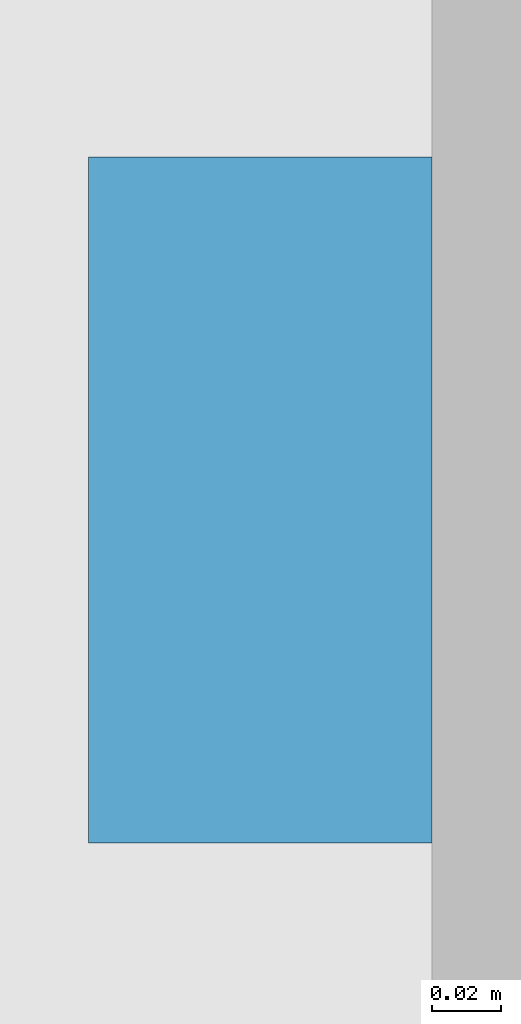
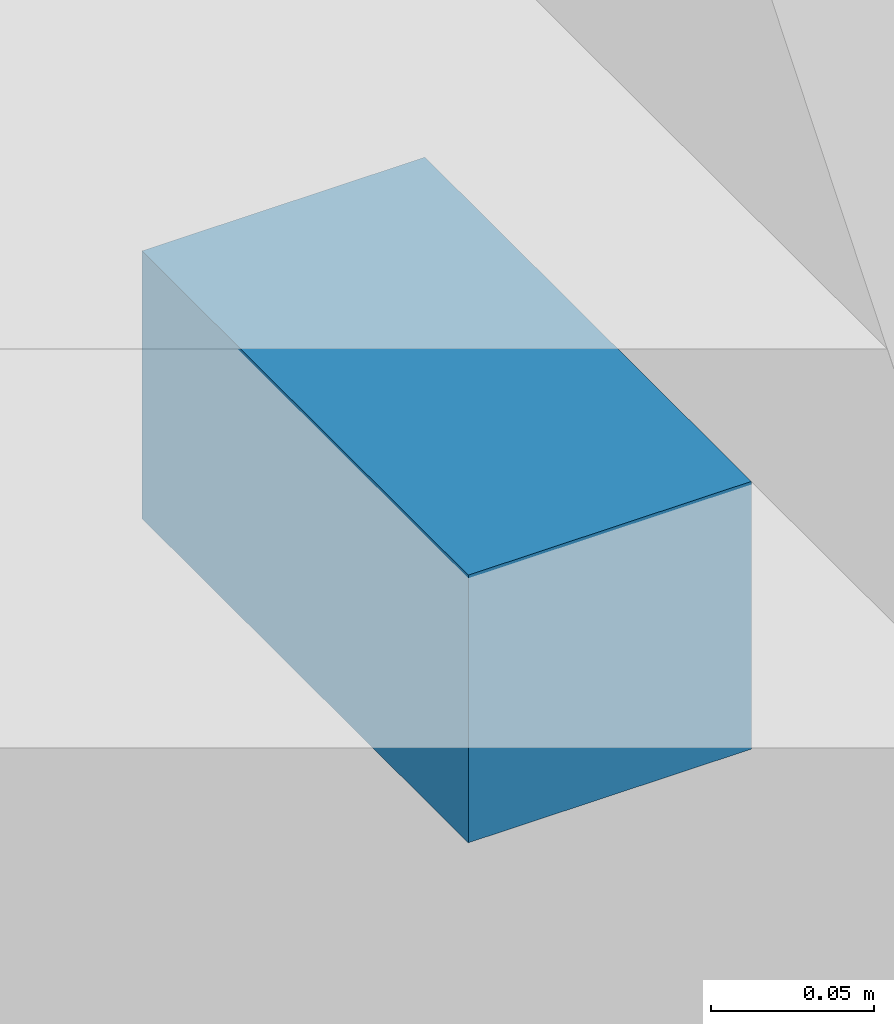
# One storey, part 15 of 17: 1 discrete accessory.
"""IFC4 building model written with IfcOpenShell, lengths in metres."""

import ifcopenshell
import ifcopenshell.guid

model = None  # the IFC model being written
_history = None  # IfcOwnerHistory: only IFC2X3 demands one
_inside = {}  # id of a spatial element -> (the spatial element, [elements in it])
_under = {}  # id of a project, library or spatial element -> (it, [spatial elements below it])
_declared = {}  # id of a project -> (the project, [libraries it declares])
_typed = {}  # id of a type object -> (the type object, [elements of that type])
_made_of = {}  # id of a material, layer set ... -> (it, [elements and type objects made of it])


def new_model(schema):
    """Start an empty IFC model of exactly this schema.

    Asked for "IFC4X3", IfcOpenShell would pick the latest addendum, in which some entities
    have other attributes; the version numbers below select the first issue.
    IFC2X3 requires an IfcOwnerHistory on every rooted entity: one is made here for all.
    """
    global model, _history
    if schema == "IFC4X3":
        model = ifcopenshell.file(schema_version=(4, 3, 0, 0))
    else:
        model = ifcopenshell.file(schema=schema)
    _inside.clear()
    _under.clear()
    _declared.clear()
    _typed.clear()
    _made_of.clear()
    _history = None
    if model.schema == "IFC2X3":
        org = make("IfcOrganization", Name="unknown")
        user = make(
            "IfcPersonAndOrganization",
            ThePerson=make("IfcPerson", FamilyName="unknown"),
            TheOrganization=org,
        )
        app = make(
            "IfcApplication",
            ApplicationDeveloper=org,
            Version="unknown",
            ApplicationFullName="unknown",
            ApplicationIdentifier="unknown",
        )
        _history = make(
            "IfcOwnerHistory",
            OwningUser=user,
            OwningApplication=app,
            ChangeAction="ADDED",
            CreationDate=0,
        )
    return model


def make(cls, **values):
    """One entity of the class cls with the attributes given. An attribute that is None is left unset."""
    return model.create_entity(
        cls, **{name: value for name, value in values.items() if value is not None}
    )


def rooted(cls, **values):
    """An entity with a GlobalId (a new one), such as an element, a storey or a relation."""
    return make(cls, GlobalId=ifcopenshell.guid.new(), OwnerHistory=_history, **values)


def si_unit(unit_type, name, prefix=None):
    """IfcSIUnit, for example si_unit("LENGTHUNIT", "METRE", prefix="MILLI")."""
    return make("IfcSIUnit", UnitType=unit_type, Prefix=prefix, Name=name)


def assignment(units):
    """IfcUnitAssignment: the units of a project."""
    return None if units is None else make("IfcUnitAssignment", Units=units)


def point(xyz):
    """IfcCartesianPoint."""
    return None if xyz is None else make("IfcCartesianPoint", Coordinates=xyz)


def direction(xyz):
    """IfcDirection."""
    return None if xyz is None else make("IfcDirection", DirectionRatios=xyz)


def frame(location, z_axis=None, x_axis=None):
    """IfcAxis2Placement3D, a coordinate frame: its origin and axes. An axis left out is left unset."""
    return make(
        "IfcAxis2Placement3D",
        Location=point(location),
        Axis=direction(z_axis),
        RefDirection=direction(x_axis),
    )


def frame_2d(location, x_axis=None):
    """IfcAxis2Placement2D, a coordinate frame in the plane: its origin and x axis."""
    return make(
        "IfcAxis2Placement2D", Location=point(location), RefDirection=direction(x_axis)
    )


def origin():
    """The frame at (0, 0, 0) with its axes left unset."""
    return frame((0.0, 0.0, 0.0))


def origin_2d():
    """The frame at (0, 0) in the plane with its x axis left unset."""
    return frame_2d((0.0, 0.0))


def place(relative_to, where):
    """IfcLocalPlacement: puts the frame where relative to a parent placement (None: the world)."""
    return make(
        "IfcLocalPlacement", PlacementRelTo=relative_to, RelativePlacement=where
    )


def context(
    kind, dimensions, precision=None, world=None, true_north=None, identifier=None
):
    """IfcGeometricRepresentationContext, for example the 3D "Model" context."""
    return make(
        "IfcGeometricRepresentationContext",
        ContextIdentifier=identifier,
        ContextType=kind,
        CoordinateSpaceDimension=dimensions,
        Precision=precision,
        WorldCoordinateSystem=world,
        TrueNorth=true_north,
    )


def subcontext(parent, identifier, kind, view, scale=None):
    """IfcGeometricRepresentationSubContext, for example "Body" below "Model"."""
    return make(
        "IfcGeometricRepresentationSubContext",
        ContextIdentifier=identifier,
        ContextType=kind,
        ParentContext=parent,
        TargetScale=scale,
        TargetView=view,
    )


def project(units=None, contexts=None):
    """IfcProject with its units and contexts."""
    return rooted(
        "IfcProject",
        Name="project",
        RepresentationContexts=contexts,
        UnitsInContext=assignment(units),
    )


def spatial(cls, under=None, at=None, **own):
    """A site, building, storey or space (cls), placed at a placement, below another one or the project."""
    s = rooted(cls, ObjectPlacement=at, **own)
    if under is not None:
        _under.setdefault(under.id(), (under, []))[1].append(s)
    return s


def profile(cls, at=None, kind="AREA", **sizes):
    """A parametric profile (cls). Its sizes go by their IFC names, for example OverallWidth=200.0."""
    return make(cls, ProfileType=kind, Position=at, **sizes)


def rectangle(**sizes):
    """IfcRectangleProfileDef."""
    return profile("IfcRectangleProfileDef", **sizes)


def extrude(swept, where, along, depth):
    """IfcExtrudedAreaSolid: the profile swept, set in the frame where, extruded along a direction by depth."""
    return make(
        "IfcExtrudedAreaSolid",
        SweptArea=swept,
        Position=where,
        ExtrudedDirection=direction(along),
        Depth=depth,
    )


def shape(context_of_items, identifier, shape_type, items):
    """IfcShapeRepresentation: the items that make up one representation, for example the "Body"."""
    return make(
        "IfcShapeRepresentation",
        ContextOfItems=context_of_items,
        RepresentationIdentifier=identifier,
        RepresentationType=shape_type,
        Items=items,
    )


def made_of(thing, what):
    """Note that an element or type object is made of a material, layer set ...; save() writes the relation."""
    if what is not None:
        _made_of.setdefault(what.id(), (what, []))[1].append(thing)
    return thing


def element(
    cls,
    number,
    at=None,
    inside=None,
    cuts=None,
    type_object=None,
    material=None,
    context=None,
    identifier="Body",
    shape_type=None,
    held_by="IfcProductDefinitionShape",
    body=None,
    shapes=None,
    **own,
):
    """One element of the class cls, such as IfcWall. Its Tag is "e" and its number.

    at: its placement. inside: the storey or other place that contains it. cuts: it is an
    opening in that element (IfcRelVoidsElement). A single representation is given by context,
    identifier, shape_type and body (its items); several are given by shapes. held_by: the class
    of the entity that holds the representations. save() writes the other relations.
    """
    e = rooted(cls, Tag="e%d" % number, ObjectPlacement=at, **own)
    if body is not None:
        shapes = [shape(context, identifier, shape_type, body)]
    if shapes is not None:
        e.Representation = make(held_by, Representations=shapes)
    if inside is not None:
        _inside.setdefault(inside.id(), (inside, []))[1].append(e)
    if cuts is not None:
        rooted(
            "IfcRelVoidsElement", RelatingBuildingElement=cuts, RelatedOpeningElement=e
        )
    if type_object is not None:
        _typed.setdefault(type_object.id(), (type_object, []))[1].append(e)
    return made_of(e, material)


def aggregate(whole, parts):
    """IfcRelAggregates: a whole, such as a stair, and the parts it consists of."""
    return rooted("IfcRelAggregates", RelatingObject=whole, RelatedObjects=parts)


def save(model, path):
    """Write the relations noted so far, then the file.

    IfcRelAggregates (storeys below a building ...), IfcRelContainedInSpatialStructure (elements
    in a storey), IfcRelDefinesByType, IfcRelAssociatesMaterial and IfcRelDeclares: one each for
    every whole, place, type object, material and project.
    """
    for whole, parts in _under.values():
        aggregate(whole, parts)
    for where, things in _inside.values():
        rooted(
            "IfcRelContainedInSpatialStructure",
            RelatedElements=things,
            RelatingStructure=where,
        )
    for kind, things in _typed.values():
        rooted("IfcRelDefinesByType", RelatedObjects=things, RelatingType=kind)
    for what, things in _made_of.values():
        rooted("IfcRelAssociatesMaterial", RelatedObjects=things, RelatingMaterial=what)
    for by, libraries in _declared.values():
        rooted("IfcRelDeclares", RelatingContext=by, RelatedDefinitions=libraries)
    model.write(path)


model = new_model("IFC4")

# Units and contexts
model_context = context("Model", 3, precision=1e-05, world=origin(), true_north=direction((0.0, 1.0)))
body_context = subcontext(model_context, "Body", "Model", "MODEL_VIEW")
ifc_project = project(units=[si_unit("LENGTHUNIT", "METRE"), si_unit("AREAUNIT", "SQUARE_METRE"), si_unit("VOLUMEUNIT", "CUBIC_METRE"), si_unit("PLANEANGLEUNIT", "RADIAN"), si_unit("MASSUNIT", "GRAM", prefix="KILO")], contexts=[model_context])

# Site, building, storey
site_placement = place(None, origin())
site = spatial("IfcSite", under=ifc_project, at=site_placement, CompositionType="ELEMENT")
building_placement = place(site_placement, origin())
building = spatial("IfcBuilding", under=site, at=building_placement, Name="Calvaro Tower", CompositionType="ELEMENT")
storey_placement = place(building_placement, frame((0.0, 0.0, 200.5)))
storey = spatial("IfcBuildingStorey", under=building, at=storey_placement, Name="L50", CompositionType="ELEMENT", Elevation=200.5)

# Discrete accessory
discrete_accessory_placement = place(storey_placement, frame((65.5, 3.60009765625, 2.349853515625), z_axis=(0.0, 0.0, 1.0), x_axis=(1.0, 0.0, 0.0)))
element("IfcDiscreteAccessory", 1, at=discrete_accessory_placement, inside=storey, Name="Brise-soleil bracket", PredefinedType="BRACKET", context=body_context, shape_type="SweptSolid", body=[
    extrude(rectangle(XDim=0.10009765625, YDim=0.199951171875, at=origin_2d()), origin(), (0.0, 0.0, 1.0), 0.10009765625),
])

save(model, "model.ifc")
